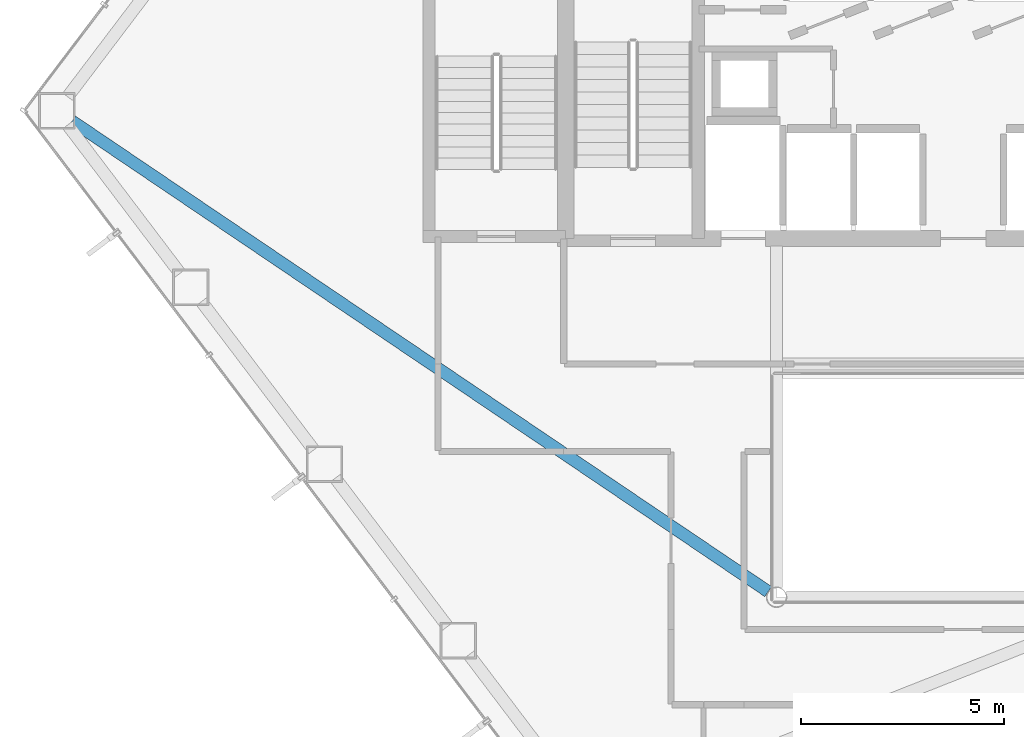
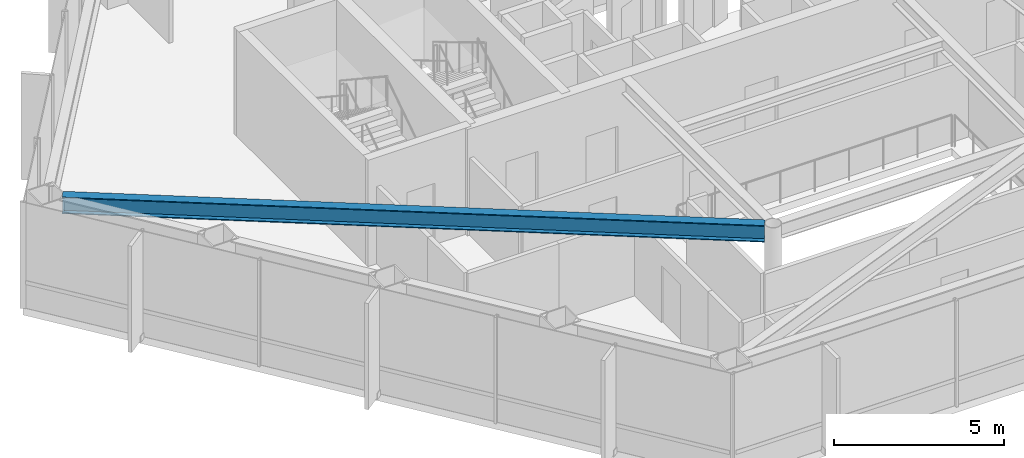
# One storey, part 5 of 24: 1 beam.
"""IFC4 building model written with IfcOpenShell, lengths in metres."""

from ifc_helpers import new_model, si_unit, direction, frame, origin, origin_2d, place, context, subcontext, project, spatial, i_section, extrude, material, material_profile, profile_set, type_object, element, save


model = new_model("IFC4")

# Units and contexts
model_context = context("Model", 3, precision=1e-05, world=origin(), true_north=direction((0.0, 1.0)))
body_context = subcontext(model_context, "Body", "Model", "MODEL_VIEW")
ifc_project = project(units=[si_unit("LENGTHUNIT", "METRE"), si_unit("AREAUNIT", "SQUARE_METRE"), si_unit("VOLUMEUNIT", "CUBIC_METRE"), si_unit("PLANEANGLEUNIT", "RADIAN"), si_unit("MASSUNIT", "GRAM", prefix="KILO")], contexts=[model_context])

# Site, building, storey
site_placement = place(None, origin())
site = spatial("IfcSite", under=ifc_project, at=site_placement, CompositionType="ELEMENT")
building_placement = place(site_placement, origin())
building = spatial("IfcBuilding", under=site, at=building_placement, Name="Zarrinselat Tower", CompositionType="ELEMENT")
storey_placement = place(building_placement, frame((0.0, 0.0, 96.89990234375)))
storey = spatial("IfcBuildingStorey", under=building, at=storey_placement, Name="L23", CompositionType="ELEMENT", Elevation=96.89990234375)

# Beam
ifc_material = material(Name="Steel S355J2", Category="steel")
ifc_material_profile = material_profile(ifc_material, i_section(OverallWidth=0.300048828125, OverallDepth=0.60009765625, WebThickness=0.015380859375, FlangeThickness=0.030029296875, at=origin_2d()), Name="HEB 600")
ifc_profile_set = profile_set([ifc_material_profile], Name="Steel S355J2")
beam_type = type_object("IfcBeamType", Name="BM-HEB600", PredefinedType="BEAM", material=ifc_profile_set)
beam_placement = place(storey_placement, frame((16.426513671875, 36.142822265625, 3.52001953125), z_axis=(0.828504014606, -0.559983122766, 0.0), x_axis=(0.559983122766, 0.828504014606, 0.0)))
element("IfcBeam", 1, at=beam_placement, inside=storey, type_object=beam_type, Name="L23 Radial Primary Girder RG06", PredefinedType="BEAM", context=body_context, shape_type="SweptSolid", body=[
    extrude(i_section(OverallWidth=0.300048828125, OverallDepth=0.60009765625, WebThickness=0.015380859375, FlangeThickness=0.030029296875, at=origin_2d()), origin(), (0.0, 0.0, 1.0), 20.719970703125),
])

save(model, "model.ifc")
